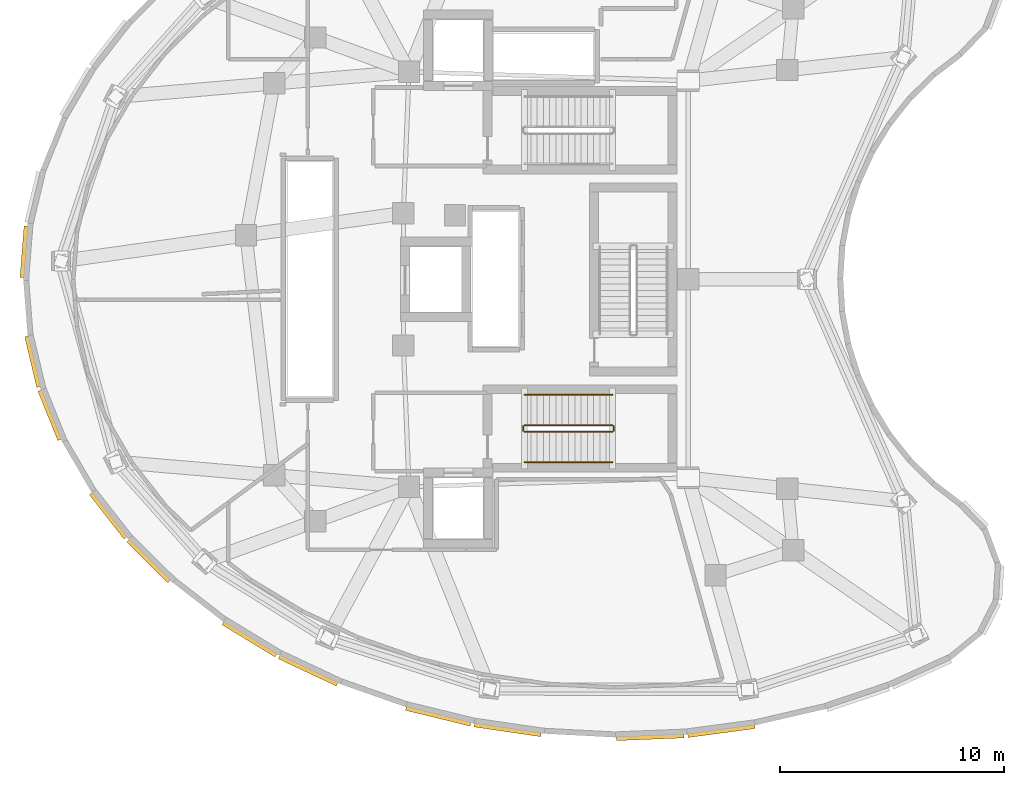
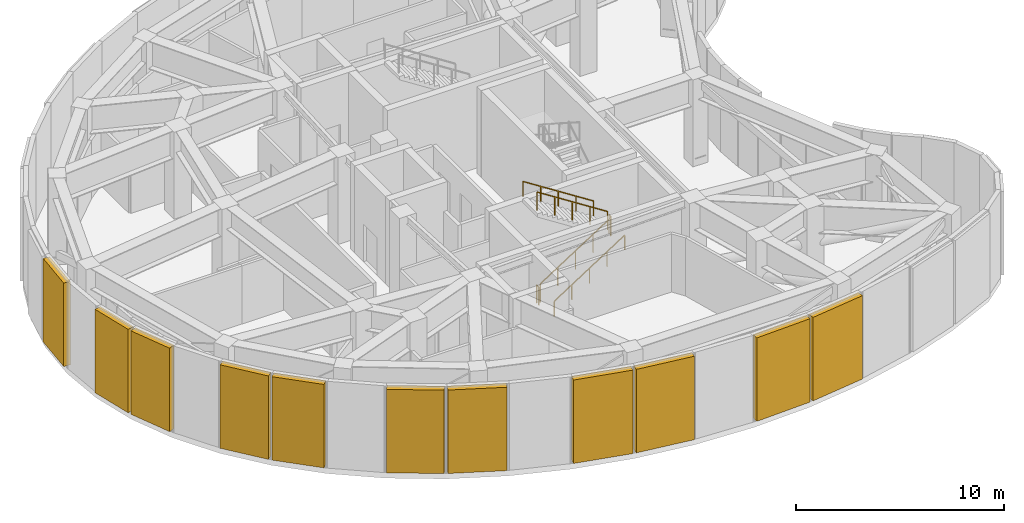
# One storey, part 7 of 9: 11 shading devices, 6 railings.
"""IFC4 building model written with IfcOpenShell, lengths in metres."""

from ifc_helpers import new_model, si_unit, direction, frame, origin, origin_2d, place, context, subcontext, project, spatial, rectangle, extrude, material, layer, layer_set, type_object, element, save


model = new_model("IFC4")

# Units and contexts
model_context = context("Model", 3, precision=1e-05, world=origin(), true_north=direction((0.0, 1.0)))
body_context = subcontext(model_context, "Body", "Model", "MODEL_VIEW")
ifc_project = project(units=[si_unit("LENGTHUNIT", "METRE"), si_unit("AREAUNIT", "SQUARE_METRE"), si_unit("VOLUMEUNIT", "CUBIC_METRE"), si_unit("PLANEANGLEUNIT", "RADIAN"), si_unit("MASSUNIT", "GRAM", prefix="KILO")], contexts=[model_context])

# Site, building, storey
site_placement = place(None, origin())
site = spatial("IfcSite", under=ifc_project, at=site_placement, CompositionType="ELEMENT")
building_placement = place(site_placement, origin())
building = spatial("IfcBuilding", under=site, at=building_placement, Name="Korentha Bioscience Tower", CompositionType="ELEMENT")
storey_placement = place(building_placement, frame((0.0, 0.0, 277.199951171875)))
storey = spatial("IfcBuildingStorey", under=building, at=storey_placement, Name="L64", CompositionType="ELEMENT", Elevation=277.199951171875)

# Shading devices
ifc_material_1 = material(Name="Powder-Coated Aluminium Louvre", Category="aluminium")
ifc_layer = layer(ifc_material_1, 0.1201171875, Name="Powder-Coated Aluminium Louvre")
ifc_layer_set = layer_set([ifc_layer], Name="Powder-Coated Aluminium Louvre (LV-350)")
shading_device_type = type_object("IfcShadingDeviceType", Name="Acoustic Weatherproof Aluminium Plant Louvre 350", PredefinedType="USERDEFINED", material=ifc_layer_set)
shading_device_1_placement = place(storey_placement, frame((8.02490234375, 28.22265625, 0.10009765625), z_axis=(0.0, 0.0, 1.0), x_axis=(-0.078053971475, -0.996949134879, 0.0)))
element("IfcShadingDevice", 1, at=shading_device_1_placement, inside=storey, type_object=shading_device_type, Name="L64 Acoustic Plant Louvre 18", ObjectType="LOUVRE", PredefinedType="USERDEFINED", context=body_context, shape_type="SweptSolid", body=[
    extrude(rectangle(XDim=2.2958984375, YDim=0.35009765625, at=origin_2d()), origin(), (0.0, 0.0, 1.0), 4.89990234375),
])
shading_device_2_placement = place(storey_placement, frame((8.40625, 23.349609375, 0.10009765625), z_axis=(0.0, 0.0, 1.0), x_axis=(0.230753719569, -0.973012189495, 0.0)))
element("IfcShadingDevice", 2, at=shading_device_2_placement, inside=storey, type_object=shading_device_type, Name="L64 Acoustic Plant Louvre 20", ObjectType="LOUVRE", PredefinedType="USERDEFINED", context=body_context, shape_type="SweptSolid", body=[
    extrude(rectangle(XDim=2.320068359375, YDim=0.35009765625, at=origin_2d()), origin(), (0.0, 0.0, 1.0), 4.89990234375),
])
shading_device_3_placement = place(storey_placement, frame((9.163818359375, 20.974365234375, 0.10009765625), z_axis=(0.0, 0.0, 1.0), x_axis=(0.373948565628, -0.927449443509, 0.0)))
element("IfcShadingDevice", 3, at=shading_device_3_placement, inside=storey, type_object=shading_device_type, Name="L64 Acoustic Plant Louvre 21", ObjectType="LOUVRE", PredefinedType="USERDEFINED", context=body_context, shape_type="SweptSolid", body=[
    extrude(rectangle(XDim=2.3662109375, YDim=0.35009765625, at=origin_2d()), origin(), (0.0, 0.0, 1.0), 4.89990234375),
])
shading_device_4_placement = place(storey_placement, frame((11.758544921875, 16.517333984375, 0.10009765625), z_axis=(0.0, 0.0, 1.0), x_axis=(0.615793831954, -0.787907327372, 0.0)))
element("IfcShadingDevice", 4, at=shading_device_4_placement, inside=storey, type_object=shading_device_type, Name="L64 Acoustic Plant Louvre 23", ObjectType="LOUVRE", PredefinedType="USERDEFINED", context=body_context, shape_type="SweptSolid", body=[
    extrude(rectangle(XDim=2.508544921875, YDim=0.35009765625, at=origin_2d()), origin(), (0.0, 0.0, 1.0), 4.89990234375),
])
shading_device_5_placement = place(storey_placement, frame((13.55810546875, 14.5, 0.10009765625), z_axis=(0.0, 0.0, 1.0), x_axis=(0.711377681356, -0.702809927696, 0.0)))
element("IfcShadingDevice", 5, at=shading_device_5_placement, inside=storey, type_object=shading_device_type, Name="L64 Acoustic Plant Louvre 24", ObjectType="LOUVRE", PredefinedType="USERDEFINED", context=body_context, shape_type="SweptSolid", body=[
    extrude(rectangle(XDim=2.594482421875, YDim=0.35009765625, at=origin_2d()), origin(), (0.0, 0.0, 1.0), 4.89990234375),
])
shading_device_6_placement = place(storey_placement, frame((18.032958984375, 11.032958984375, 0.10009765625), z_axis=(0.0, 0.0, 1.0), x_axis=(0.854508272838, -0.519437784197, 0.0)))
element("IfcShadingDevice", 6, at=shading_device_6_placement, inside=storey, type_object=shading_device_type, Name="L64 Acoustic Plant Louvre 26", ObjectType="LOUVRE", PredefinedType="USERDEFINED", context=body_context, shape_type="SweptSolid", body=[
    extrude(rectangle(XDim=2.768798828125, YDim=0.35009765625, at=origin_2d()), origin(), (0.0, 0.0, 1.0), 4.89990234375),
])
shading_device_7_placement = place(storey_placement, frame((20.6435546875, 9.63330078125, 0.10009765625), z_axis=(0.0, 0.0, 1.0), x_axis=(0.904983638858, -0.425446369592, 0.0)))
element("IfcShadingDevice", 7, at=shading_device_7_placement, inside=storey, type_object=shading_device_type, Name="L64 Acoustic Plant Louvre 27", ObjectType="LOUVRE", PredefinedType="USERDEFINED", context=body_context, shape_type="SweptSolid", body=[
    extrude(rectangle(XDim=2.847900390625, YDim=0.35009765625, at=origin_2d()), origin(), (0.0, 0.0, 1.0), 4.89990234375),
])
shading_device_8_placement = place(storey_placement, frame((26.423095703125, 7.603271484375, 0.10009765625), z_axis=(0.0, 0.0, 1.0), x_axis=(0.971307554436, -0.237826900697, 0.0)))
element("IfcShadingDevice", 8, at=shading_device_8_placement, inside=storey, type_object=shading_device_type, Name="L64 Acoustic Plant Louvre 29", ObjectType="LOUVRE", PredefinedType="USERDEFINED", context=body_context, shape_type="SweptSolid", body=[
    extrude(rectangle(XDim=2.969970703125, YDim=0.35009765625, at=origin_2d()), origin(), (0.0, 0.0, 1.0), 4.89990234375),
])
shading_device_9_placement = place(storey_placement, frame((29.50830078125, 7.002197265625, 0.10009765625), z_axis=(0.0, 0.0, 1.0), x_axis=(0.989460071267, -0.144805964545, 0.0)))
element("IfcShadingDevice", 9, at=shading_device_9_placement, inside=storey, type_object=shading_device_type, Name="L64 Acoustic Plant Louvre 30", ObjectType="LOUVRE", PredefinedType="USERDEFINED", context=body_context, shape_type="SweptSolid", body=[
    extrude(rectangle(XDim=3.0078125, YDim=0.35009765625, at=origin_2d()), origin(), (0.0, 0.0, 1.0), 4.89990234375),
])
shading_device_10_placement = place(storey_placement, frame((35.848388671875, 6.6708984375, 0.10009765625), z_axis=(0.0, 0.0, 1.0), x_axis=(0.999189042335, 0.040264844187, 0.0)))
element("IfcShadingDevice", 10, at=shading_device_10_placement, inside=storey, type_object=shading_device_type, Name="L64 Acoustic Plant Louvre 32", ObjectType="LOUVRE", PredefinedType="USERDEFINED", context=body_context, shape_type="SweptSolid", body=[
    extrude(rectangle(XDim=3.02880859375, YDim=0.35009765625, at=origin_2d()), origin(), (0.0, 0.0, 1.0), 4.89990234375),
])
shading_device_11_placement = place(storey_placement, frame((39.01123046875, 6.945556640625, 0.10009765625), z_axis=(0.0, 0.0, 1.0), x_axis=(0.991136509185, 0.132847356619, 0.0)))
element("IfcShadingDevice", 11, at=shading_device_11_placement, inside=storey, type_object=shading_device_type, Name="L64 Acoustic Plant Louvre 33", ObjectType="LOUVRE", PredefinedType="USERDEFINED", context=body_context, shape_type="SweptSolid", body=[
    extrude(rectangle(XDim=3.01123046875, YDim=0.35009765625, at=origin_2d()), origin(), (0.0, 0.0, 1.0), 4.89990234375),
])

# Railings
ifc_material_2 = material(Name="Stainless Steel 304", Category="steel")
railing_type_1 = type_object("IfcRailingType", Name="Brushed Stainless Stair Handrail 900", PredefinedType="HANDRAIL", material=ifc_material_2)
railing_1_placement = place(storey_placement, frame((30.25, 18.85009765625, 0.179931640625)))
element("IfcRailing", 12, at=railing_1_placement, inside=storey, type_object=railing_type_1, Name="L64 ST-2 stair handrail 1", PredefinedType="HANDRAIL", context=body_context, shape_type="SweptSolid", body=[
    extrude(rectangle(XDim=0.048095703125, YDim=0.048095703125, at=origin_2d()), frame((0.0, 0.0, 0.8759765625), z_axis=(0.841171666519, 0.0, 0.540768182723), x_axis=(0.0, 1.0, 0.0)), (0.0, 0.0, 1.0), 4.66015625),
    extrude(rectangle(XDim=0.0419921875, YDim=0.0419921875, at=origin_2d()), origin(), (0.0, 0.0, 1.0), 0.851806640625),
    extrude(rectangle(XDim=0.0419921875, YDim=0.0419921875, at=origin_2d()), frame((0.97998046875, 0.0, 0.6298828125)), (0.0, 0.0, 1.0), 0.851806640625),
    extrude(rectangle(XDim=0.0419921875, YDim=0.0419921875, at=origin_2d()), frame((1.9599609375, 0.0, 1.260009765625)), (0.0, 0.0, 1.0), 0.851806640625),
    extrude(rectangle(XDim=0.0419921875, YDim=0.0419921875, at=origin_2d()), frame((2.93994140625, 0.0, 1.89013671875)), (0.0, 0.0, 1.0), 0.851806640625),
    extrude(rectangle(XDim=0.0419921875, YDim=0.0419921875, at=origin_2d()), frame((3.919921875, 0.0, 2.52001953125)), (0.0, 0.0, 1.0), 0.851806640625),
])
railing_2_placement = place(storey_placement, frame((34.169921875, 21.85009765625, 2.880126953125)))
element("IfcRailing", 13, at=railing_2_placement, inside=storey, type_object=railing_type_1, Name="L64 ST-2 stair handrail 2", PredefinedType="HANDRAIL", context=body_context, shape_type="SweptSolid", body=[
    extrude(rectangle(XDim=0.048095703125, YDim=0.048095703125, at=origin_2d()), frame((0.0, 0.0, 0.8759765625), z_axis=(-0.841171666519, 0.0, 0.540768182723), x_axis=(0.0, -1.0, 0.0)), (0.0, 0.0, 1.0), 4.66015625),
    extrude(rectangle(XDim=0.0419921875, YDim=0.0419921875, at=origin_2d()), origin(), (0.0, 0.0, 1.0), 0.851806640625),
    extrude(rectangle(XDim=0.0419921875, YDim=0.0419921875, at=origin_2d()), frame((-0.97998046875, 0.0, 0.6298828125)), (0.0, 0.0, 1.0), 0.851806640625),
    extrude(rectangle(XDim=0.0419921875, YDim=0.0419921875, at=origin_2d()), frame((-1.9599609375, 0.0, 1.260009765625)), (0.0, 0.0, 1.0), 0.851806640625),
    extrude(rectangle(XDim=0.0419921875, YDim=0.0419921875, at=origin_2d()), frame((-2.93994140625, 0.0, 1.89013671875)), (0.0, 0.0, 1.0), 0.851806640625),
    extrude(rectangle(XDim=0.0419921875, YDim=0.0419921875, at=origin_2d()), frame((-3.919921875, 0.0, 2.52001953125)), (0.0, 0.0, 1.0), 0.851806640625),
])
ifc_material_3 = material(Name="Painted Steel S275", Category="steel")
railing_type_2 = type_object("IfcRailingType", Name="Painted Steel Stair Well Guardrail 1100", PredefinedType="GUARDRAIL", material=ifc_material_3)
railing_3_placement = place(storey_placement, frame((30.25, 20.199951171875, 0.179931640625)))
element("IfcRailing", 14, at=railing_3_placement, inside=storey, type_object=railing_type_2, Name="L64 ST-2 stair guard 1", PredefinedType="GUARDRAIL", context=body_context, shape_type="SweptSolid", body=[
    extrude(rectangle(XDim=0.048095703125, YDim=0.048095703125, at=origin_2d()), frame((0.0, 0.0, 1.076171875), z_axis=(0.841171666519, 0.0, 0.540768182723), x_axis=(0.0, 1.0, 0.0)), (0.0, 0.0, 1.0), 4.66015625),
    extrude(rectangle(XDim=0.0419921875, YDim=0.0419921875, at=origin_2d()), origin(), (0.0, 0.0, 1.0), 1.052001953125),
    extrude(rectangle(XDim=0.0419921875, YDim=0.0419921875, at=origin_2d()), frame((0.97998046875, 0.0, 0.6298828125)), (0.0, 0.0, 1.0), 1.052001953125),
    extrude(rectangle(XDim=0.0419921875, YDim=0.0419921875, at=origin_2d()), frame((1.9599609375, 0.0, 1.260009765625)), (0.0, 0.0, 1.0), 1.052001953125),
    extrude(rectangle(XDim=0.0419921875, YDim=0.0419921875, at=origin_2d()), frame((2.93994140625, 0.0, 1.89013671875)), (0.0, 0.0, 1.0), 1.052001953125),
    extrude(rectangle(XDim=0.0419921875, YDim=0.0419921875, at=origin_2d()), frame((3.919921875, 0.0, 2.52001953125)), (0.0, 0.0, 1.0), 1.052001953125),
])
railing_4_placement = place(storey_placement, frame((34.219970703125, 20.25, 2.699951171875)))
element("IfcRailing", 15, at=railing_4_placement, inside=storey, type_object=railing_type_2, Name="L64 ST-2 stair guard 2", PredefinedType="GUARDRAIL", context=body_context, shape_type="SweptSolid", body=[
    extrude(rectangle(XDim=0.048095703125, YDim=0.048095703125, at=origin_2d()), frame((0.0, 0.0, 1.076171875), z_axis=(0.0, 1.0, 0.0), x_axis=(-1.0, 0.0, 0.0)), (0.0, 0.0, 1.0), 0.199951171875),
    extrude(rectangle(XDim=0.0419921875, YDim=0.0419921875, at=origin_2d()), origin(), (0.0, 0.0, 1.0), 1.052001953125),
    extrude(rectangle(XDim=0.0419921875, YDim=0.0419921875, at=origin_2d()), frame((0.0, 0.199951171875, 0.0)), (0.0, 0.0, 1.0), 1.052001953125),
])
railing_5_placement = place(storey_placement, frame((34.169921875, 20.5, 2.880126953125)))
element("IfcRailing", 16, at=railing_5_placement, inside=storey, type_object=railing_type_2, Name="L64 ST-2 stair guard 3", PredefinedType="GUARDRAIL", context=body_context, shape_type="SweptSolid", body=[
    extrude(rectangle(XDim=0.048095703125, YDim=0.048095703125, at=origin_2d()), frame((0.0, 0.0, 1.076171875), z_axis=(-0.841171666519, 0.0, 0.540768182723), x_axis=(0.0, -1.0, 0.0)), (0.0, 0.0, 1.0), 4.66015625),
    extrude(rectangle(XDim=0.0419921875, YDim=0.0419921875, at=origin_2d()), origin(), (0.0, 0.0, 1.0), 1.052001953125),
    extrude(rectangle(XDim=0.0419921875, YDim=0.0419921875, at=origin_2d()), frame((-0.97998046875, 0.0, 0.6298828125)), (0.0, 0.0, 1.0), 1.052001953125),
    extrude(rectangle(XDim=0.0419921875, YDim=0.0419921875, at=origin_2d()), frame((-1.9599609375, 0.0, 1.260009765625)), (0.0, 0.0, 1.0), 1.052001953125),
    extrude(rectangle(XDim=0.0419921875, YDim=0.0419921875, at=origin_2d()), frame((-2.93994140625, 0.0, 1.89013671875)), (0.0, 0.0, 1.0), 1.052001953125),
    extrude(rectangle(XDim=0.0419921875, YDim=0.0419921875, at=origin_2d()), frame((-3.919921875, 0.0, 2.52001953125)), (0.0, 0.0, 1.0), 1.052001953125),
])
railing_6_placement = place(storey_placement, frame((30.199951171875, 20.25, 0.0)))
element("IfcRailing", 17, at=railing_6_placement, inside=storey, type_object=railing_type_2, Name="L64 ST-2 stair guard 4", PredefinedType="GUARDRAIL", context=body_context, shape_type="SweptSolid", body=[
    extrude(rectangle(XDim=0.048095703125, YDim=0.048095703125, at=origin_2d()), frame((0.0, 0.0, 1.076171875), z_axis=(0.0, 1.0, 0.0), x_axis=(-1.0, 0.0, 0.0)), (0.0, 0.0, 1.0), 0.199951171875),
    extrude(rectangle(XDim=0.0419921875, YDim=0.0419921875, at=origin_2d()), origin(), (0.0, 0.0, 1.0), 1.052001953125),
    extrude(rectangle(XDim=0.0419921875, YDim=0.0419921875, at=origin_2d()), frame((0.0, 0.199951171875, 0.0)), (0.0, 0.0, 1.0), 1.052001953125),
])

save(model, "model.ifc")
